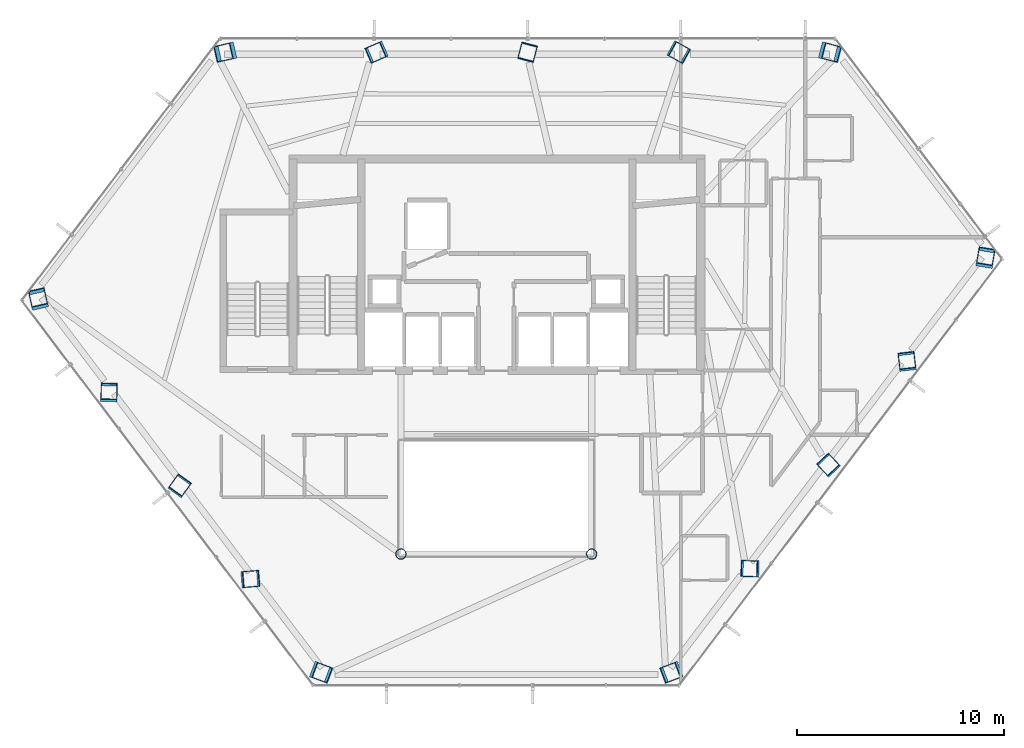
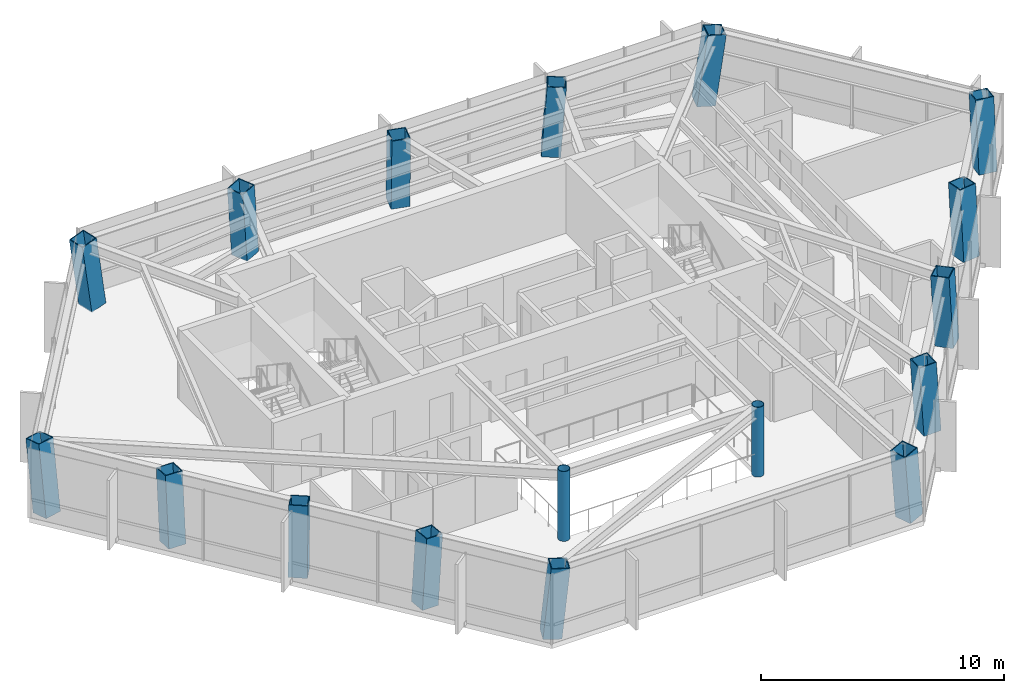
# One storey, part 1 of 30: 17 columns.
"""IFC4 building model written with IfcOpenShell, lengths in metres."""

import ifcopenshell
import ifcopenshell.guid

model = None  # the IFC model being written
_history = None  # IfcOwnerHistory: only IFC2X3 demands one
_inside = {}  # id of a spatial element -> (the spatial element, [elements in it])
_under = {}  # id of a project, library or spatial element -> (it, [spatial elements below it])
_declared = {}  # id of a project -> (the project, [libraries it declares])
_typed = {}  # id of a type object -> (the type object, [elements of that type])
_made_of = {}  # id of a material, layer set ... -> (it, [elements and type objects made of it])


def new_model(schema):
    """Start an empty IFC model of exactly this schema.

    Asked for "IFC4X3", IfcOpenShell would pick the latest addendum, in which some entities
    have other attributes; the version numbers below select the first issue.
    IFC2X3 requires an IfcOwnerHistory on every rooted entity: one is made here for all.
    """
    global model, _history
    if schema == "IFC4X3":
        model = ifcopenshell.file(schema_version=(4, 3, 0, 0))
    else:
        model = ifcopenshell.file(schema=schema)
    _inside.clear()
    _under.clear()
    _declared.clear()
    _typed.clear()
    _made_of.clear()
    _history = None
    if model.schema == "IFC2X3":
        org = make("IfcOrganization", Name="unknown")
        user = make(
            "IfcPersonAndOrganization",
            ThePerson=make("IfcPerson", FamilyName="unknown"),
            TheOrganization=org,
        )
        app = make(
            "IfcApplication",
            ApplicationDeveloper=org,
            Version="unknown",
            ApplicationFullName="unknown",
            ApplicationIdentifier="unknown",
        )
        _history = make(
            "IfcOwnerHistory",
            OwningUser=user,
            OwningApplication=app,
            ChangeAction="ADDED",
            CreationDate=0,
        )
    return model


def make(cls, **values):
    """One entity of the class cls with the attributes given. An attribute that is None is left unset."""
    return model.create_entity(
        cls, **{name: value for name, value in values.items() if value is not None}
    )


def rooted(cls, **values):
    """An entity with a GlobalId (a new one), such as an element, a storey or a relation."""
    return make(cls, GlobalId=ifcopenshell.guid.new(), OwnerHistory=_history, **values)


def si_unit(unit_type, name, prefix=None):
    """IfcSIUnit, for example si_unit("LENGTHUNIT", "METRE", prefix="MILLI")."""
    return make("IfcSIUnit", UnitType=unit_type, Prefix=prefix, Name=name)


def assignment(units):
    """IfcUnitAssignment: the units of a project."""
    return None if units is None else make("IfcUnitAssignment", Units=units)


def point(xyz):
    """IfcCartesianPoint."""
    return None if xyz is None else make("IfcCartesianPoint", Coordinates=xyz)


def direction(xyz):
    """IfcDirection."""
    return None if xyz is None else make("IfcDirection", DirectionRatios=xyz)


def frame(location, z_axis=None, x_axis=None):
    """IfcAxis2Placement3D, a coordinate frame: its origin and axes. An axis left out is left unset."""
    return make(
        "IfcAxis2Placement3D",
        Location=point(location),
        Axis=direction(z_axis),
        RefDirection=direction(x_axis),
    )


def frame_2d(location, x_axis=None):
    """IfcAxis2Placement2D, a coordinate frame in the plane: its origin and x axis."""
    return make(
        "IfcAxis2Placement2D", Location=point(location), RefDirection=direction(x_axis)
    )


def origin():
    """The frame at (0, 0, 0) with its axes left unset."""
    return frame((0.0, 0.0, 0.0))


def origin_2d():
    """The frame at (0, 0) in the plane with its x axis left unset."""
    return frame_2d((0.0, 0.0))


def place(relative_to, where):
    """IfcLocalPlacement: puts the frame where relative to a parent placement (None: the world)."""
    return make(
        "IfcLocalPlacement", PlacementRelTo=relative_to, RelativePlacement=where
    )


def context(
    kind, dimensions, precision=None, world=None, true_north=None, identifier=None
):
    """IfcGeometricRepresentationContext, for example the 3D "Model" context."""
    return make(
        "IfcGeometricRepresentationContext",
        ContextIdentifier=identifier,
        ContextType=kind,
        CoordinateSpaceDimension=dimensions,
        Precision=precision,
        WorldCoordinateSystem=world,
        TrueNorth=true_north,
    )


def subcontext(parent, identifier, kind, view, scale=None):
    """IfcGeometricRepresentationSubContext, for example "Body" below "Model"."""
    return make(
        "IfcGeometricRepresentationSubContext",
        ContextIdentifier=identifier,
        ContextType=kind,
        ParentContext=parent,
        TargetScale=scale,
        TargetView=view,
    )


def project(units=None, contexts=None):
    """IfcProject with its units and contexts."""
    return rooted(
        "IfcProject",
        Name="project",
        RepresentationContexts=contexts,
        UnitsInContext=assignment(units),
    )


def spatial(cls, under=None, at=None, **own):
    """A site, building, storey or space (cls), placed at a placement, below another one or the project."""
    s = rooted(cls, ObjectPlacement=at, **own)
    if under is not None:
        _under.setdefault(under.id(), (under, []))[1].append(s)
    return s


def profile(cls, at=None, kind="AREA", **sizes):
    """A parametric profile (cls). Its sizes go by their IFC names, for example OverallWidth=200.0."""
    return make(cls, ProfileType=kind, Position=at, **sizes)


def hollow_rectangle(**sizes):
    """IfcRectangleHollowProfileDef."""
    return profile("IfcRectangleHollowProfileDef", **sizes)


def hollow_circle(**sizes):
    """IfcCircleHollowProfileDef."""
    return profile("IfcCircleHollowProfileDef", **sizes)


def extrude(swept, where, along, depth):
    """IfcExtrudedAreaSolid: the profile swept, set in the frame where, extruded along a direction by depth."""
    return make(
        "IfcExtrudedAreaSolid",
        SweptArea=swept,
        Position=where,
        ExtrudedDirection=direction(along),
        Depth=depth,
    )


def shape(context_of_items, identifier, shape_type, items):
    """IfcShapeRepresentation: the items that make up one representation, for example the "Body"."""
    return make(
        "IfcShapeRepresentation",
        ContextOfItems=context_of_items,
        RepresentationIdentifier=identifier,
        RepresentationType=shape_type,
        Items=items,
    )


def material(Name=None, Category=None):
    """IfcMaterial."""
    return make("IfcMaterial", Name=Name, Category=Category)


def material_profile(
    of_material, cross_section, Name=None, Category=None, Priority=None
):
    """IfcMaterialProfile: a cross section and its material."""
    return make(
        "IfcMaterialProfile",
        Name=Name,
        Material=of_material,
        Profile=cross_section,
        Priority=Priority,
        Category=Category,
    )


def profile_set(profiles, Name=None, composite=None):
    """IfcMaterialProfileSet."""
    return make(
        "IfcMaterialProfileSet",
        Name=Name,
        MaterialProfiles=profiles,
        CompositeProfile=composite,
    )


def made_of(thing, what):
    """Note that an element or type object is made of a material, layer set ...; save() writes the relation."""
    if what is not None:
        _made_of.setdefault(what.id(), (what, []))[1].append(thing)
    return thing


def type_object(cls, material=None, **own):
    """A type object (cls), such as IfcWallType, which elements share."""
    return made_of(rooted(cls, **own), material)


def element(
    cls,
    number,
    at=None,
    inside=None,
    cuts=None,
    type_object=None,
    material=None,
    context=None,
    identifier="Body",
    shape_type=None,
    held_by="IfcProductDefinitionShape",
    body=None,
    shapes=None,
    **own,
):
    """One element of the class cls, such as IfcWall. Its Tag is "e" and its number.

    at: its placement. inside: the storey or other place that contains it. cuts: it is an
    opening in that element (IfcRelVoidsElement). A single representation is given by context,
    identifier, shape_type and body (its items); several are given by shapes. held_by: the class
    of the entity that holds the representations. save() writes the other relations.
    """
    e = rooted(cls, Tag="e%d" % number, ObjectPlacement=at, **own)
    if body is not None:
        shapes = [shape(context, identifier, shape_type, body)]
    if shapes is not None:
        e.Representation = make(held_by, Representations=shapes)
    if inside is not None:
        _inside.setdefault(inside.id(), (inside, []))[1].append(e)
    if cuts is not None:
        rooted(
            "IfcRelVoidsElement", RelatingBuildingElement=cuts, RelatedOpeningElement=e
        )
    if type_object is not None:
        _typed.setdefault(type_object.id(), (type_object, []))[1].append(e)
    return made_of(e, material)


def aggregate(whole, parts):
    """IfcRelAggregates: a whole, such as a stair, and the parts it consists of."""
    return rooted("IfcRelAggregates", RelatingObject=whole, RelatedObjects=parts)


def save(model, path):
    """Write the relations noted so far, then the file.

    IfcRelAggregates (storeys below a building ...), IfcRelContainedInSpatialStructure (elements
    in a storey), IfcRelDefinesByType, IfcRelAssociatesMaterial and IfcRelDeclares: one each for
    every whole, place, type object, material and project.
    """
    for whole, parts in _under.values():
        aggregate(whole, parts)
    for where, things in _inside.values():
        rooted(
            "IfcRelContainedInSpatialStructure",
            RelatedElements=things,
            RelatingStructure=where,
        )
    for kind, things in _typed.values():
        rooted("IfcRelDefinesByType", RelatedObjects=things, RelatingType=kind)
    for what, things in _made_of.values():
        rooted("IfcRelAssociatesMaterial", RelatedObjects=things, RelatingMaterial=what)
    for by, libraries in _declared.values():
        rooted("IfcRelDeclares", RelatingContext=by, RelatedDefinitions=libraries)
    model.write(path)


model = new_model("IFC4")

# Units and contexts
model_context = context("Model", 3, precision=1e-05, world=origin(), true_north=direction((0.0, 1.0)))
body_context = subcontext(model_context, "Body", "Model", "MODEL_VIEW")
ifc_project = project(units=[si_unit("LENGTHUNIT", "METRE"), si_unit("AREAUNIT", "SQUARE_METRE"), si_unit("VOLUMEUNIT", "CUBIC_METRE"), si_unit("PLANEANGLEUNIT", "RADIAN"), si_unit("MASSUNIT", "GRAM", prefix="KILO")], contexts=[model_context])

# Site, building, storey
site_placement = place(None, origin())
site = spatial("IfcSite", under=ifc_project, at=site_placement, CompositionType="ELEMENT")
building_placement = place(site_placement, origin())
building = spatial("IfcBuilding", under=site, at=building_placement, Name="Zarrinselat Tower", CompositionType="ELEMENT")
storey_placement = place(building_placement, frame((0.0, 0.0, 130.89990234375)))
storey = spatial("IfcBuildingStorey", under=building, at=storey_placement, Name="L31", CompositionType="ELEMENT", Elevation=130.89990234375)

# Columns
ifc_material_1 = material(Name="Steel S355J2", Category="steel")
ifc_material_profile_1 = material_profile(ifc_material_1, hollow_circle(Radius=0.25390625, WallThickness=0.02001953125, at=origin_2d()), Name="CHS 508x20")
ifc_profile_set_1 = profile_set([ifc_material_profile_1], Name="Steel S355J2")
column_type_1 = type_object("IfcColumnType", Name="COL-CHS508", PredefinedType="COLUMN", material=ifc_profile_set_1)
for number, where, z_axis, x_axis, name in (
    (1, (33.800048828125, 24.39990234375, 0.0), (0.0, 0.0, 1.0), (1.0, 0.0, 0.0), "L31 Atrium Corner Column 1"),
    (2, (43.0, 24.39990234375, 0.0), (0.0, 0.0, 1.0), (1.0, 0.0, 0.0), "L31 Atrium Corner Column 2"),
):
    element("IfcColumn", number, at=place(storey_placement, frame(where, z_axis=z_axis, x_axis=x_axis)), inside=storey, type_object=column_type_1, Name=name, PredefinedType="COLUMN", context=body_context, shape_type="SweptSolid", body=[
        extrude(hollow_circle(Radius=0.25390625, WallThickness=0.02001953125, at=origin_2d()), origin(), (0.0, 0.0, 1.0), 3.5),
    ])
ifc_material_2 = material(Name="Steel S460M", Category="steel")
ifc_material_profile_2 = material_profile(ifc_material_2, hollow_rectangle(XDim=0.800048828125, YDim=0.800048828125, WallThickness=0.0400390625, at=origin_2d()), Name="SHS 800x800x40")
ifc_profile_set_2 = profile_set([ifc_material_profile_2], Name="Steel S460M")
column_type_2 = type_object("IfcColumnType", Name="COL-SHS800", PredefinedType="COLUMN", material=ifc_profile_set_2)
column_1_placement = place(storey_placement, frame((54.41455078125, 48.61669921875, 0.0), z_axis=(0.127574507632, -0.033051823658, 0.99127812543), x_axis=(0.250798276179, 0.968039371444, 0.0)))
element("IfcColumn", 3, at=column_1_placement, inside=storey, type_object=column_type_2, Name="L31 Framed-Tube Column T01", PredefinedType="COLUMN", context=body_context, shape_type="SweptSolid", body=[
    extrude(hollow_rectangle(XDim=0.800048828125, YDim=0.800048828125, WallThickness=0.0400390625, at=origin_2d()), origin(), (0.0, 0.0, 1.0), 3.53076171875),
])
column_2_placement = place(storey_placement, frame((47.1650390625, 48.61669921875, 0.0), z_axis=(0.05984805099, -0.03326438183, 0.997653091858), x_axis=(0.485815509524, 0.874061376967, 0.0)))
element("IfcColumn", 4, at=column_2_placement, inside=storey, type_object=column_type_2, Name="L31 Framed-Tube Column T02", PredefinedType="COLUMN", context=body_context, shape_type="SweptSolid", body=[
    extrude(hollow_rectangle(XDim=0.800048828125, YDim=0.800048828125, WallThickness=0.0400390625, at=origin_2d()), origin(), (0.0, 0.0, 1.0), 3.50830078125),
])
column_3_placement = place(storey_placement, frame((39.91552734375, 48.61669921875, 0.0), z_axis=(-0.00878384215, -0.033322829744, 0.999406040173), x_axis=(0.966969639228, -0.254891578541, 0.0)))
element("IfcColumn", 5, at=column_3_placement, inside=storey, type_object=column_type_2, Name="L31 Framed-Tube Column T03", PredefinedType="COLUMN", context=body_context, shape_type="SweptSolid", body=[
    extrude(hollow_rectangle(XDim=0.800048828125, YDim=0.800048828125, WallThickness=0.0400390625, at=origin_2d()), origin(), (0.0, 0.0, 1.0), 3.502197265625),
])
column_4_placement = place(storey_placement, frame((32.666015625, 48.61669921875, 0.0), z_axis=(-0.077291970782, -0.033224426289, 0.996454760012), x_axis=(0.394916185996, -0.918717152359, 0.0)))
element("IfcColumn", 6, at=column_4_placement, inside=storey, type_object=column_type_2, Name="L31 Framed-Tube Column T04", PredefinedType="COLUMN", context=body_context, shape_type="SweptSolid", body=[
    extrude(hollow_rectangle(XDim=0.800048828125, YDim=0.800048828125, WallThickness=0.0400390625, at=origin_2d()), origin(), (0.0, 0.0, 1.0), 3.512451171875),
])
column_5_placement = place(storey_placement, frame((25.41650390625, 48.61669921875, 0.0), z_axis=(-0.144723737582, -0.032973282442, 0.988922546222), x_axis=(0.222143328027, -0.975014021342, 0.0)))
element("IfcColumn", 7, at=column_5_placement, inside=storey, type_object=column_type_2, Name="L31 Framed-Tube Column T05", PredefinedType="COLUMN", context=body_context, shape_type="SweptSolid", body=[
    extrude(hollow_rectangle(XDim=0.800048828125, YDim=0.800048828125, WallThickness=0.0400390625, at=origin_2d()), origin(), (0.0, 0.0, 1.0), 3.539306640625),
])
column_6_placement = place(storey_placement, frame((16.3349609375, 36.62890625, 0.0), z_axis=(-0.027474160681, 0.122284236581, 0.992114779639), x_axis=(-0.975677703588, -0.219209987733, 0.0)))
element("IfcColumn", 8, at=column_6_placement, inside=storey, type_object=column_type_2, Name="L31 Framed-Tube Column T06", PredefinedType="COLUMN", context=body_context, shape_type="SweptSolid", body=[
    extrude(hollow_rectangle(XDim=0.800048828125, YDim=0.800048828125, WallThickness=0.0400390625, at=origin_2d()), origin(), (0.0, 0.0, 1.0), 3.52783203125),
])
column_7_placement = place(storey_placement, frame((19.7275390625, 32.15087890625, 0.0), z_axis=(0.002154834987, 0.083482478059, 0.996506915452), x_axis=(-0.99966704125, 0.025803229208, 0.0)))
element("IfcColumn", 9, at=column_7_placement, inside=storey, type_object=column_type_2, Name="L31 Framed-Tube Column T07", PredefinedType="COLUMN", context=body_context, shape_type="SweptSolid", body=[
    extrude(hollow_rectangle(XDim=0.800048828125, YDim=0.800048828125, WallThickness=0.0400390625, at=origin_2d()), origin(), (0.0, 0.0, 1.0), 3.51220703125),
])
column_8_placement = place(storey_placement, frame((23.1201171875, 27.672607421875, 0.0), z_axis=(0.0319694884, 0.044297591769, 0.998506722649), x_axis=(-0.810880899672, 0.585211215329, 0.0)))
element("IfcColumn", 10, at=column_8_placement, inside=storey, type_object=column_type_2, Name="L31 Framed-Tube Column T08", PredefinedType="COLUMN", context=body_context, shape_type="SweptSolid", body=[
    extrude(hollow_rectangle(XDim=0.800048828125, YDim=0.800048828125, WallThickness=0.0400390625, at=origin_2d()), origin(), (0.0, 0.0, 1.0), 3.505126953125),
])
column_9_placement = place(storey_placement, frame((26.5126953125, 23.1943359375, 0.0), z_axis=(0.061683988828, 0.005012694352, 0.998083142037), x_axis=(-0.080997101874, 0.996714336953, 0.0)))
element("IfcColumn", 11, at=column_9_placement, inside=storey, type_object=column_type_2, Name="L31 Framed-Tube Column T09", PredefinedType="COLUMN", context=body_context, shape_type="SweptSolid", body=[
    extrude(hollow_rectangle(XDim=0.800048828125, YDim=0.800048828125, WallThickness=0.0400390625, at=origin_2d()), origin(), (0.0, 0.0, 1.0), 3.5068359375),
])
for number, where, z_axis, x_axis, name in (
    (12, (29.905029296875, 18.71630859375, 0.0), (0.091289918014, -0.034294463497, 0.995233661329), (0.351669482779, 0.936124230475, 0.0), "L31 Framed-Tube Column T10"),
    (13, (46.89501953125, 18.71630859375, 0.0), (-0.091289918014, -0.034294463497, 0.995233661329), (0.351669482779, -0.936124230475, 0.0), "L31 Framed-Tube Column T11"),
):
    element("IfcColumn", number, at=place(storey_placement, frame(where, z_axis=z_axis, x_axis=x_axis)), inside=storey, type_object=column_type_2, Name=name, PredefinedType="COLUMN", context=body_context, shape_type="SweptSolid", body=[
        extrude(hollow_rectangle(XDim=0.800048828125, YDim=0.800048828125, WallThickness=0.0400390625, at=origin_2d()), origin(), (0.0, 0.0, 1.0), 3.516845703125),
    ])
column_10_placement = place(storey_placement, frame((50.666259765625, 23.694580078125, 0.0), z_axis=(-0.063903576547, 0.002088352175, 0.997953892567), x_axis=(-0.032662302113, -0.99946644467, 0.0)))
element("IfcColumn", 14, at=column_10_placement, inside=storey, type_object=column_type_2, Name="L31 Framed-Tube Column T12", PredefinedType="COLUMN", context=body_context, shape_type="SweptSolid", body=[
    extrude(hollow_rectangle(XDim=0.800048828125, YDim=0.800048828125, WallThickness=0.0400390625, at=origin_2d()), origin(), (0.0, 0.0, 1.0), 3.507080078125),
])
column_11_placement = place(storey_placement, frame((54.437744140625, 28.6728515625, 0.0), z_axis=(-0.036360710558, 0.038520063101, 0.998596066218), x_axis=(-0.727195467978, -0.686430441744, 0.0)))
element("IfcColumn", 15, at=column_11_placement, inside=storey, type_object=column_type_2, Name="L31 Framed-Tube Column T13", PredefinedType="COLUMN", context=body_context, shape_type="SweptSolid", body=[
    extrude(hollow_rectangle(XDim=0.800048828125, YDim=0.800048828125, WallThickness=0.0400390625, at=origin_2d()), origin(), (0.0, 0.0, 1.0), 3.5048828125),
])
column_12_placement = place(storey_placement, frame((58.209228515625, 33.651123046875, 0.0), z_axis=(-0.008764028326, 0.074911575455, 0.997151667336), x_axis=(-0.993225936587, -0.116199134642, 0.0)))
element("IfcColumn", 16, at=column_12_placement, inside=storey, type_object=column_type_2, Name="L31 Framed-Tube Column T14", PredefinedType="COLUMN", context=body_context, shape_type="SweptSolid", body=[
    extrude(hollow_rectangle(XDim=0.800048828125, YDim=0.800048828125, WallThickness=0.0400390625, at=origin_2d()), origin(), (0.0, 0.0, 1.0), 3.510009765625),
])
column_13_placement = place(storey_placement, frame((61.980712890625, 38.62939453125, 0.0), z_axis=(0.01871421422, 0.11089904723, 0.993655463181), x_axis=(-0.986058770777, 0.166397417569, 0.0)))
element("IfcColumn", 17, at=column_13_placement, inside=storey, type_object=column_type_2, Name="L31 Framed-Tube Column T15", PredefinedType="COLUMN", context=body_context, shape_type="SweptSolid", body=[
    extrude(hollow_rectangle(XDim=0.800048828125, YDim=0.800048828125, WallThickness=0.0400390625, at=origin_2d()), origin(), (0.0, 0.0, 1.0), 3.5224609375),
])

save(model, "model.ifc")
